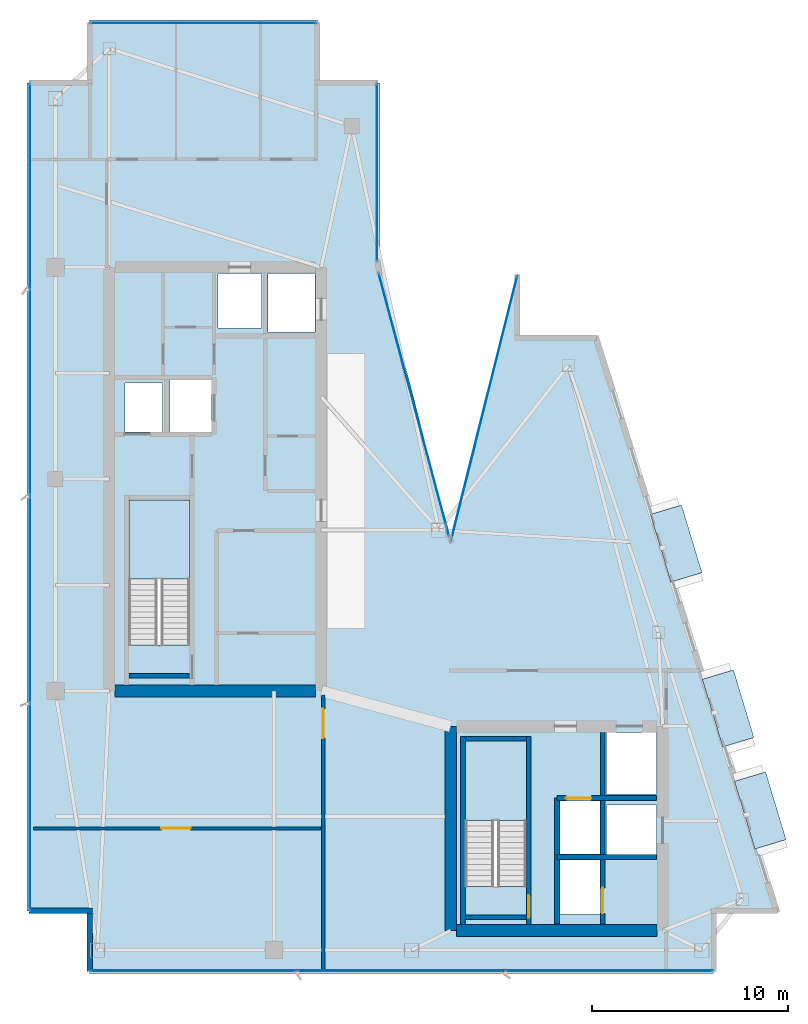
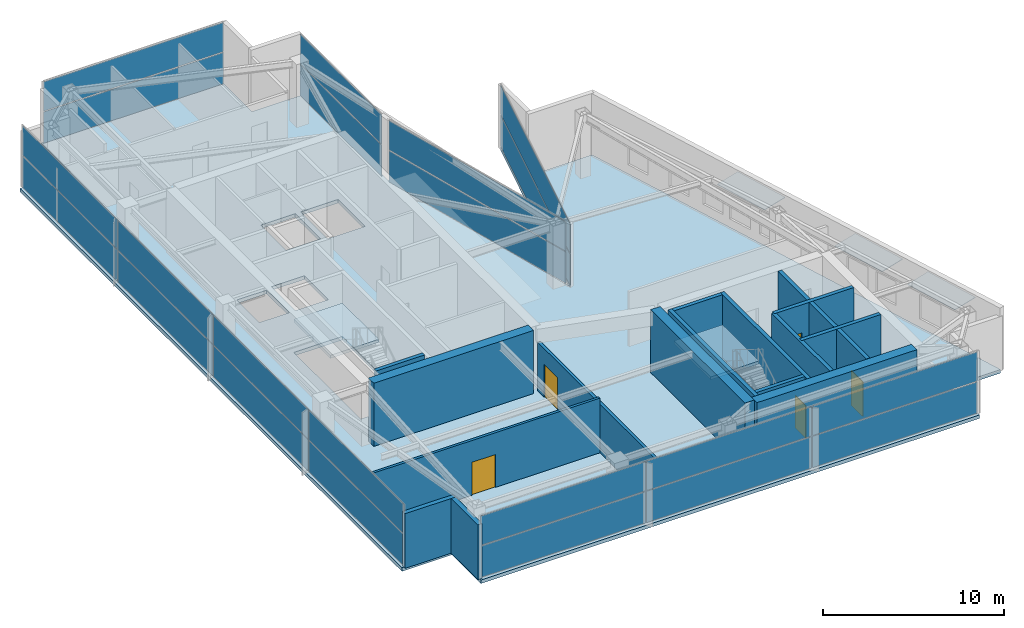
# One storey, part 20 of 25: 25 plates, 16 walls, 5 doors, 3 slabs, 5 openings, 8 elements without a shape of their own.
"""IFC4 building model written with IfcOpenShell, lengths in metres."""

from ifc_helpers import new_model, si_unit, direction, frame, frame_2d, origin, origin_2d, place, context, subcontext, project, spatial, polyline, rectangle, outline, extrude, material, layer, layer_set, type_object, element, fill, aggregate, save


model = new_model("IFC4")

# Units and contexts
model_context = context("Model", 3, precision=1e-05, world=origin(), true_north=direction((0.0, 1.0)))
body_context = subcontext(model_context, "Body", "Model", "MODEL_VIEW")
ifc_project = project(units=[si_unit("LENGTHUNIT", "METRE"), si_unit("AREAUNIT", "SQUARE_METRE"), si_unit("VOLUMEUNIT", "CUBIC_METRE"), si_unit("PLANEANGLEUNIT", "RADIAN"), si_unit("MASSUNIT", "GRAM", prefix="KILO")], contexts=[model_context])

# Site, building, storey
site_placement = place(None, origin())
site = spatial("IfcSite", under=ifc_project, at=site_placement, CompositionType="ELEMENT")
building_placement = place(site_placement, origin())
building = spatial("IfcBuilding", under=site, at=building_placement, Name="Calvorn Quay Hotel", CompositionType="ELEMENT")
storey_placement = place(building_placement, frame((0.0, 0.0, 311.5)))
storey = spatial("IfcBuildingStorey", under=building, at=storey_placement, Name="L77", CompositionType="ELEMENT", Elevation=311.5)

# Curtain wall, plates
ifc_material_1 = material(Name="Champagne Bronze Anodised Aluminium and Low-E Glass", Category="aluminium")
ifc_layer_1 = layer(ifc_material_1, 0.219970703125)
ifc_layer_set_1 = layer_set([ifc_layer_1], Name="CW-SYS-Z4")
curtain_wall_type = type_object("IfcCurtainWallType", Name="CW-SYS-Z4", PredefinedType="NOTDEFINED", material=ifc_layer_set_1)
curtain_wall_1_placement = place(storey_placement, origin())
curtain_wall_1 = element("IfcCurtainWall", 1, at=curtain_wall_1_placement, inside=storey, type_object=curtain_wall_type, Name="Tower West Curtain Wall (L77)", PredefinedType="NOTDEFINED")
ifc_material_2 = material(Name="Low-E Laminated Double Glazing", Category="glass")
ifc_layer_2 = layer(ifc_material_2, 0.028076171875)
ifc_layer_set_2 = layer_set([ifc_layer_2], Name="CW-SYS-Z4-PAN")
plate_type_1 = type_object("IfcPlateType", Name="CW-SYS-Z4-PAN", PredefinedType="CURTAIN_PANEL", material=ifc_layer_set_2)
plate_1_placement = place(storey_placement, frame((0.14990234375, 10.889892578125, 0.06005859375), z_axis=(0.0, 0.0, 1.0), x_axis=(0.0, 1.0, 0.0)))
plate_1 = element("IfcPlate", 2, at=plate_1_placement, type_object=plate_type_1, Name="CW-L77-W panel 1.1", PredefinedType="CURTAIN_PANEL", context=body_context, shape_type="SweptSolid", body=[
    extrude(rectangle(XDim=10.4599609375, YDim=0.028076171875, at=origin_2d()), origin(), (0.0, 0.0, 1.0), 2.110107421875),
])
plate_2_placement = place(storey_placement, frame((0.14990234375, 10.889892578125, 2.22998046875), z_axis=(0.0, 0.0, 1.0), x_axis=(0.0, 1.0, 0.0)))
plate_2 = element("IfcPlate", 3, at=plate_2_placement, type_object=plate_type_1, Name="CW-L77-W panel 1.2", PredefinedType="CURTAIN_PANEL", context=body_context, shape_type="SweptSolid", body=[
    extrude(rectangle(XDim=10.4599609375, YDim=0.028076171875, at=origin_2d()), origin(), (0.0, 0.0, 1.0), 1.969970703125),
])
plate_3_placement = place(storey_placement, frame((0.14990234375, 21.425048828125, 0.06005859375), z_axis=(0.0, 0.0, 1.0), x_axis=(0.0, 1.0, 0.0)))
plate_3 = element("IfcPlate", 4, at=plate_3_placement, type_object=plate_type_1, Name="CW-L77-W panel 2.1", PredefinedType="CURTAIN_PANEL", context=body_context, shape_type="SweptSolid", body=[
    extrude(rectangle(XDim=10.489990234375, YDim=0.028076171875, at=origin_2d()), origin(), (0.0, 0.0, 1.0), 2.110107421875),
])
plate_4_placement = place(storey_placement, frame((0.14990234375, 21.425048828125, 2.22998046875), z_axis=(0.0, 0.0, 1.0), x_axis=(0.0, 1.0, 0.0)))
plate_4 = element("IfcPlate", 5, at=plate_4_placement, type_object=plate_type_1, Name="CW-L77-W panel 2.2", PredefinedType="CURTAIN_PANEL", context=body_context, shape_type="SweptSolid", body=[
    extrude(rectangle(XDim=10.489990234375, YDim=0.028076171875, at=origin_2d()), origin(), (0.0, 0.0, 1.0), 1.969970703125),
])
plate_5_placement = place(storey_placement, frame((0.14990234375, 31.97509765625, 0.06005859375), z_axis=(0.0, 0.0, 1.0), x_axis=(0.0, 1.0, 0.0)))
plate_5 = element("IfcPlate", 6, at=plate_5_placement, type_object=plate_type_1, Name="CW-L77-W panel 3.1", PredefinedType="CURTAIN_PANEL", context=body_context, shape_type="SweptSolid", body=[
    extrude(rectangle(XDim=10.489990234375, YDim=0.028076171875, at=origin_2d()), origin(), (0.0, 0.0, 1.0), 2.110107421875),
])
plate_6_placement = place(storey_placement, frame((0.14990234375, 31.97509765625, 2.22998046875), z_axis=(0.0, 0.0, 1.0), x_axis=(0.0, 1.0, 0.0)))
plate_6 = element("IfcPlate", 7, at=plate_6_placement, type_object=plate_type_1, Name="CW-L77-W panel 3.2", PredefinedType="CURTAIN_PANEL", context=body_context, shape_type="SweptSolid", body=[
    extrude(rectangle(XDim=10.489990234375, YDim=0.028076171875, at=origin_2d()), origin(), (0.0, 0.0, 1.0), 1.969970703125),
])
plate_7_placement = place(storey_placement, frame((0.14990234375, 42.510009765625, 0.06005859375), z_axis=(0.0, 0.0, 1.0), x_axis=(0.0, 1.0, 0.0)))
plate_7 = element("IfcPlate", 8, at=plate_7_placement, type_object=plate_type_1, Name="CW-L77-W panel 4.1", PredefinedType="CURTAIN_PANEL", context=body_context, shape_type="SweptSolid", body=[
    extrude(rectangle(XDim=10.4599609375, YDim=0.028076171875, at=origin_2d()), origin(), (0.0, 0.0, 1.0), 2.110107421875),
])
plate_8_placement = place(storey_placement, frame((0.14990234375, 42.510009765625, 2.22998046875), z_axis=(0.0, 0.0, 1.0), x_axis=(0.0, 1.0, 0.0)))
plate_8 = element("IfcPlate", 9, at=plate_8_placement, type_object=plate_type_1, Name="CW-L77-W panel 4.2", PredefinedType="CURTAIN_PANEL", context=body_context, shape_type="SweptSolid", body=[
    extrude(rectangle(XDim=10.4599609375, YDim=0.028076171875, at=origin_2d()), origin(), (0.0, 0.0, 1.0), 1.969970703125),
])
aggregate(curtain_wall_1, [plate_1, plate_2, plate_3, plate_4, plate_5, plate_6, plate_7, plate_8])

curtain_wall_2_placement = place(storey_placement, origin())
curtain_wall_2 = element("IfcCurtainWall", 10, at=curtain_wall_2_placement, inside=storey, type_object=curtain_wall_type, Name="Tower South Waterfront Curtain Wall (L77)", PredefinedType="NOTDEFINED")
plate_9_placement = place(storey_placement, frame((8.514892578125, 2.550048828125, 0.06005859375), z_axis=(0.0, 0.0, 1.0), x_axis=(1.0, 0.0, 0.0)))
plate_9 = element("IfcPlate", 11, at=plate_9_placement, type_object=plate_type_1, Name="CW-L77-S panel 1.1", PredefinedType="CURTAIN_PANEL", context=body_context, shape_type="SweptSolid", body=[
    extrude(rectangle(XDim=10.510009765625, YDim=0.028076171875, at=origin_2d()), origin(), (0.0, 0.0, 1.0), 2.110107421875),
])
plate_10_placement = place(storey_placement, frame((8.514892578125, 2.550048828125, 2.22998046875), z_axis=(0.0, 0.0, 1.0), x_axis=(1.0, 0.0, 0.0)))
plate_10 = element("IfcPlate", 12, at=plate_10_placement, type_object=plate_type_1, Name="CW-L77-S panel 1.2", PredefinedType="CURTAIN_PANEL", context=body_context, shape_type="SweptSolid", body=[
    extrude(rectangle(XDim=10.510009765625, YDim=0.028076171875, at=origin_2d()), origin(), (0.0, 0.0, 1.0), 1.969970703125),
])
plate_11_placement = place(storey_placement, frame((19.10009765625, 2.550048828125, 0.06005859375), z_axis=(0.0, 0.0, 1.0), x_axis=(1.0, 0.0, 0.0)))
plate_11 = element("IfcPlate", 13, at=plate_11_placement, type_object=plate_type_1, Name="CW-L77-S panel 2.1", PredefinedType="CURTAIN_PANEL", context=body_context, shape_type="SweptSolid", body=[
    extrude(rectangle(XDim=10.5400390625, YDim=0.028076171875, at=origin_2d()), origin(), (0.0, 0.0, 1.0), 2.110107421875),
])
plate_12_placement = place(storey_placement, frame((19.10009765625, 2.550048828125, 2.22998046875), z_axis=(0.0, 0.0, 1.0), x_axis=(1.0, 0.0, 0.0)))
plate_12 = element("IfcPlate", 14, at=plate_12_placement, type_object=plate_type_1, Name="CW-L77-S panel 2.2", PredefinedType="CURTAIN_PANEL", context=body_context, shape_type="SweptSolid", body=[
    extrude(rectangle(XDim=10.5400390625, YDim=0.028076171875, at=origin_2d()), origin(), (0.0, 0.0, 1.0), 1.969970703125),
])
plate_13_placement = place(storey_placement, frame((29.68505859375, 2.550048828125, 0.06005859375), z_axis=(0.0, 0.0, 1.0), x_axis=(1.0, 0.0, 0.0)))
plate_13 = element("IfcPlate", 15, at=plate_13_placement, type_object=plate_type_1, Name="CW-L77-S panel 3.1", PredefinedType="CURTAIN_PANEL", context=body_context, shape_type="SweptSolid", body=[
    extrude(rectangle(XDim=10.510009765625, YDim=0.028076171875, at=origin_2d()), origin(), (0.0, 0.0, 1.0), 2.110107421875),
])
plate_14_placement = place(storey_placement, frame((29.68505859375, 2.550048828125, 2.22998046875), z_axis=(0.0, 0.0, 1.0), x_axis=(1.0, 0.0, 0.0)))
plate_14 = element("IfcPlate", 16, at=plate_14_placement, type_object=plate_type_1, Name="CW-L77-S panel 3.2", PredefinedType="CURTAIN_PANEL", context=body_context, shape_type="SweptSolid", body=[
    extrude(rectangle(XDim=10.510009765625, YDim=0.028076171875, at=origin_2d()), origin(), (0.0, 0.0, 1.0), 1.969970703125),
])
aggregate(curtain_wall_2, [plate_9, plate_10, plate_11, plate_12, plate_13, plate_14])

curtain_wall_3_placement = place(storey_placement, origin())
curtain_wall_3 = element("IfcCurtainWall", 17, at=curtain_wall_3_placement, inside=storey, type_object=curtain_wall_type, Name="Inner Court Curtain Wall L77-NE1", PredefinedType="NOTDEFINED")
plate_15_placement = place(storey_placement, frame((23.300048828125, 31.199951171875, 0.06005859375), z_axis=(0.0, 0.0, 1.0), x_axis=(-0.242535625038, -0.970142500145, 0.0)))
plate_15 = element("IfcPlate", 18, at=plate_15_placement, type_object=plate_type_1, Name="CW-L77-NE1 panel 1.1", PredefinedType="CURTAIN_PANEL", context=body_context, shape_type="SweptSolid", body=[
    extrude(rectangle(XDim=13.8984375, YDim=0.028076171875, at=origin_2d()), origin(), (0.0, 0.0, 1.0), 2.110107421875),
])
plate_16_placement = place(storey_placement, frame((23.300048828125, 31.199951171875, 2.22998046875), z_axis=(0.0, 0.0, 1.0), x_axis=(-0.242535625038, -0.970142500145, 0.0)))
plate_16 = element("IfcPlate", 19, at=plate_16_placement, type_object=plate_type_1, Name="CW-L77-NE1 panel 1.2", PredefinedType="CURTAIN_PANEL", context=body_context, shape_type="SweptSolid", body=[
    extrude(rectangle(XDim=13.8984375, YDim=0.028076171875, at=origin_2d()), origin(), (0.0, 0.0, 1.0), 1.969970703125),
])
aggregate(curtain_wall_3, [plate_15, plate_16])

curtain_wall_4_placement = place(storey_placement, origin())
curtain_wall_4 = element("IfcCurtainWall", 20, at=curtain_wall_4_placement, inside=storey, type_object=curtain_wall_type, Name="Inner Court Curtain Wall L77-IC1", PredefinedType="NOTDEFINED")
plate_17_placement = place(storey_placement, frame((19.72509765625, 31.39990234375, 0.06005859375), z_axis=(0.0, 0.0, 1.0), x_axis=(-0.25877913024, 0.96593652056, 0.0)))
plate_17 = element("IfcPlate", 21, at=plate_17_placement, type_object=plate_type_1, Name="CW-L77-IC1 panel 1.1", PredefinedType="CURTAIN_PANEL", context=body_context, shape_type="SweptSolid", body=[
    extrude(rectangle(XDim=13.814697265625, YDim=0.028076171875, at=origin_2d()), origin(), (0.0, 0.0, 1.0), 2.110107421875),
])
plate_18_placement = place(storey_placement, frame((19.72509765625, 31.39990234375, 2.22998046875), z_axis=(0.0, 0.0, 1.0), x_axis=(-0.25877913024, 0.96593652056, 0.0)))
plate_18 = element("IfcPlate", 22, at=plate_18_placement, type_object=plate_type_1, Name="CW-L77-IC1 panel 1.2", PredefinedType="CURTAIN_PANEL", context=body_context, shape_type="SweptSolid", body=[
    extrude(rectangle(XDim=13.814697265625, YDim=0.028076171875, at=origin_2d()), origin(), (0.0, 0.0, 1.0), 1.969970703125),
])
aggregate(curtain_wall_4, [plate_17, plate_18])

curtain_wall_5_placement = place(storey_placement, origin())
curtain_wall_5 = element("IfcCurtainWall", 23, at=curtain_wall_5_placement, inside=storey, type_object=curtain_wall_type, Name="Inner Court Curtain Wall L77-IC2", PredefinedType="NOTDEFINED")
plate_19_placement = place(storey_placement, frame((17.85009765625, 43.239990234375, 0.06005859375), z_axis=(0.0, 0.0, 1.0), x_axis=(0.0, 1.0, 0.0)))
plate_19 = element("IfcPlate", 24, at=plate_19_placement, type_object=plate_type_1, Name="CW-L77-IC2 panel 1.1", PredefinedType="CURTAIN_PANEL", context=body_context, shape_type="SweptSolid", body=[
    extrude(rectangle(XDim=9.0, YDim=0.028076171875, at=origin_2d()), origin(), (0.0, 0.0, 1.0), 2.110107421875),
])
plate_20_placement = place(storey_placement, frame((17.85009765625, 43.239990234375, 2.22998046875), z_axis=(0.0, 0.0, 1.0), x_axis=(0.0, 1.0, 0.0)))
plate_20 = element("IfcPlate", 25, at=plate_20_placement, type_object=plate_type_1, Name="CW-L77-IC2 panel 1.2", PredefinedType="CURTAIN_PANEL", context=body_context, shape_type="SweptSolid", body=[
    extrude(rectangle(XDim=9.0, YDim=0.028076171875, at=origin_2d()), origin(), (0.0, 0.0, 1.0), 1.969970703125),
])
aggregate(curtain_wall_5, [plate_19, plate_20])

curtain_wall_6_placement = place(storey_placement, origin())
curtain_wall_6 = element("IfcCurtainWall", 26, at=curtain_wall_6_placement, inside=storey, type_object=curtain_wall_type, Name="Inner Court Curtain Wall L77-N1", PredefinedType="NOTDEFINED")
plate_21_placement = place(storey_placement, frame((9.0, 50.85009765625, 0.06005859375), z_axis=(0.0, 0.0, 1.0), x_axis=(-1.0, 0.0, 0.0)))
plate_21 = element("IfcPlate", 27, at=plate_21_placement, type_object=plate_type_1, Name="CW-L77-N1 panel 1.1", PredefinedType="CURTAIN_PANEL", context=body_context, shape_type="SweptSolid", body=[
    extrude(rectangle(XDim=11.47998046875, YDim=0.028076171875, at=origin_2d()), origin(), (0.0, 0.0, 1.0), 2.110107421875),
])
plate_22_placement = place(storey_placement, frame((9.0, 50.85009765625, 2.22998046875), z_axis=(0.0, 0.0, 1.0), x_axis=(-1.0, 0.0, 0.0)))
plate_22 = element("IfcPlate", 28, at=plate_22_placement, type_object=plate_type_1, Name="CW-L77-N1 panel 1.2", PredefinedType="CURTAIN_PANEL", context=body_context, shape_type="SweptSolid", body=[
    extrude(rectangle(XDim=11.47998046875, YDim=0.028076171875, at=origin_2d()), origin(), (0.0, 0.0, 1.0), 1.969970703125),
])
aggregate(curtain_wall_6, [plate_21, plate_22])

# Plates
ifc_material_3 = material(Name="Tempered Laminated Low-E Glass", Category="glass")
ifc_layer_3 = layer(ifc_material_3, 0.0380859375)
ifc_layer_set_3 = layer_set([ifc_layer_3], Name="PLT-HOOD-GLAZ")
plate_type_2 = type_object("IfcPlateType", Name="PLT-HOOD-GLAZ", PredefinedType="SHEET", material=ifc_layer_set_3)
for number, where, z_axis, x_axis, name in (
    (29, (37.3740234375, 10.718017578125, 2.467041015625), (0.0, 0.0, 1.0), (0.957319497532, 0.289031796944, 0.0), "Angled Glass Bay Hood Panel L77-HOOD-1"),
    (30, (35.735107421875, 15.91796875, 2.467041015625), (0.0, 0.0, 1.0), (0.957319497532, 0.289031796944, 0.0), "Angled Glass Bay Hood Panel L77-HOOD-2"),
    (31, (33.089111328125, 24.318115234375, 2.467041015625), (0.0, 0.0, 1.0), (0.957319497532, 0.289031796944, 0.0), "Angled Glass Bay Hood Panel L77-HOOD-3"),
):
    element("IfcPlate", number, at=place(storey_placement, frame(where, z_axis=z_axis, x_axis=x_axis)), inside=storey, type_object=plate_type_2, Name=name, PredefinedType="SHEET", context=body_context, shape_type="SweptSolid", body=[
        extrude(rectangle(XDim=1.659912109375, YDim=3.60009765625, at=origin_2d()), origin(), (0.0, 0.0, 1.0), 0.0380859375),
    ])

# Stair, slab
ifc_material_4 = material(Name="Concrete C40", Category="concrete")
stair_type = type_object("IfcStairType", Name="STR-CORE-DOGLEG", PredefinedType="HALF_TURN_STAIR", material=ifc_material_4)
stair_1_placement = place(storey_placement, origin())
stair_1 = element("IfcStair", 32, at=stair_1_placement, inside=storey, type_object=stair_type, Name="L77 ST-W", PredefinedType="HALF_TURN_STAIR")
ifc_material_5 = material(Name="Concrete C40", Category="concrete")
ifc_layer_4 = layer(ifc_material_5, 0.199951171875)
ifc_layer_set_4 = layer_set([ifc_layer_4], Name="SLB-STAIR-LANDING-200")
slab_type_1 = type_object("IfcSlabType", Name="SLB-STAIR-LANDING-200", PredefinedType="LANDING", material=ifc_layer_set_4)
slab_1_placement = place(storey_placement, frame((0.0, 0.0, 2.050048828125)))
slab_1 = element("IfcSlab", 33, at=slab_1_placement, type_object=slab_type_1, Name="ST-W landing 1", PredefinedType="LANDING", context=body_context, shape_type="SweptSolid", body=[
    extrude(outline(polyline([(8.300048828125, 22.510009765625), (8.300048828125, 26.550048828125), (5.199951171875, 26.550048828125), (5.199951171875, 22.510009765625), (8.300048828125, 22.510009765625)])), origin(), (0.0, 0.0, 1.0), 0.199951171875),
])
aggregate(stair_1, [slab_1])

stair_2_placement = place(storey_placement, origin())
stair_2 = element("IfcStair", 34, at=stair_2_placement, inside=storey, type_object=stair_type, Name="L77 ST-E", PredefinedType="HALF_TURN_STAIR")
slab_2_placement = place(storey_placement, frame((0.0, 0.0, 2.050048828125)))
slab_2 = element("IfcSlab", 35, at=slab_2_placement, type_object=slab_type_1, Name="ST-E landing 1", PredefinedType="LANDING", context=body_context, shape_type="SweptSolid", body=[
    extrude(outline(polyline([(25.449951171875, 10.2099609375), (25.449951171875, 14.25), (22.35009765625, 14.25), (22.35009765625, 10.2099609375), (25.449951171875, 10.2099609375)])), origin(), (0.0, 0.0, 1.0), 0.199951171875),
])
aggregate(stair_2, [slab_2])

# Slab
ifc_material_6 = material(Name="Concrete C40", Category="concrete")
ifc_layer_5 = layer(ifc_material_6, 0.239990234375)
ifc_layer_set_5 = layer_set([ifc_layer_5], Name="SLB-TOWER-240")
slab_type_2 = type_object("IfcSlabType", Name="SLB-TOWER-240", PredefinedType="FLOOR", material=ifc_layer_set_5)
slab_3_placement = place(storey_placement, frame((0.0, 0.0, -0.239990234375)))
element("IfcSlab", 36, at=slab_3_placement, inside=storey, type_object=slab_type_2, Name="L77 Structural Floor Slab", PredefinedType="FLOOR", context=body_context, shape_type="SweptSolid", body=[
    extrude(outline(polyline([(0.0, 5.60009765625), (3.199951171875, 5.60009765625), (3.199951171875, 2.39990234375), (35.0, 2.39990234375), (35.0, 5.60009765625), (38.199951171875, 5.60009765625), (29.0, 34.800048828125), (25.0, 34.800048828125), (25.0, 38.0), (21.60009765625, 24.39990234375), (18.0, 38.39990234375), (18.0, 47.800048828125), (14.800048828125, 47.800048828125), (14.800048828125, 51.0), (3.199951171875, 51.0), (3.199951171875, 47.800048828125), (0.0, 47.800048828125), (0.0, 5.60009765625)]), holes=[polyline([(5.199951171875, 19.156005859375), (8.300048828125, 19.156005859375), (8.300048828125, 26.550048828125), (5.199951171875, 26.550048828125), (5.199951171875, 19.156005859375)]), polyline([(22.35009765625, 6.85595703125), (25.449951171875, 6.85595703125), (25.449951171875, 14.25), (22.35009765625, 14.25), (22.35009765625, 6.85595703125)]), polyline([(5.0, 30.0), (6.89990234375, 30.0), (6.89990234375, 32.5), (5.0, 32.5), (5.0, 30.0)]), polyline([(7.300048828125, 30.0), (9.39990234375, 30.0), (9.39990234375, 32.64990234375), (7.300048828125, 32.64990234375), (7.300048828125, 30.0)]), polyline([(27.159912109375, 8.5), (29.2099609375, 8.5), (29.2099609375, 11.199951171875), (27.159912109375, 11.199951171875), (27.159912109375, 8.5)]), polyline([(27.159912109375, 5.449951171875), (29.2099609375, 5.449951171875), (29.2099609375, 8.199951171875), (27.159912109375, 8.199951171875), (27.159912109375, 5.449951171875)]), polyline([(12.300048828125, 35.10009765625), (14.68994140625, 35.10009765625), (14.68994140625, 38.090087890625), (12.300048828125, 38.090087890625), (12.300048828125, 35.10009765625)]), polyline([(9.75, 35.300048828125), (11.949951171875, 35.300048828125), (11.949951171875, 38.090087890625), (9.75, 38.090087890625), (9.75, 35.300048828125)]), polyline([(29.550048828125, 11.550048828125), (32.090087890625, 11.550048828125), (32.090087890625, 14.68994140625), (29.550048828125, 14.68994140625), (29.550048828125, 11.550048828125)]), polyline([(29.550048828125, 8.449951171875), (32.090087890625, 8.449951171875), (32.090087890625, 11.0), (29.550048828125, 11.0), (29.550048828125, 8.449951171875)])]), origin(), (0.0, 0.0, 1.0), 0.239990234375),
])

# Walls
ifc_material_7 = material(Name="Concrete C45", Category="concrete")
ifc_layer_6 = layer(ifc_material_7, 0.60009765625)
ifc_layer_set_6 = layer_set([ifc_layer_6], Name="WL-CORE-600")
wall_type_1 = type_object("IfcWallType", Name="WL-CORE-600", PredefinedType="SHEAR", material=ifc_layer_set_6)
wall_1_placement = place(storey_placement, frame((4.5, 16.800048828125, 0.0), z_axis=(0.0, 0.0, 1.0), x_axis=(1.0, 0.0, 0.0)))
element("IfcWall", 37, at=wall_1_placement, inside=storey, type_object=wall_type_1, Name="West Core Shear Wall S (L77)", PredefinedType="SHEAR", context=body_context, shape_type="SweptSolid", body=[
    extrude(rectangle(XDim=10.199951171875, YDim=0.60009765625, at=frame_2d((5.10009765625, 0.0))), origin(), (0.0, 0.0, 1.0), 4.260009765625),
])
wall_2_placement = place(storey_placement, frame((21.60009765625, 4.60009765625, 0.0), z_axis=(0.0, 0.0, 1.0), x_axis=(0.0, 1.0, 0.0)))
element("IfcWall", 38, at=wall_2_placement, inside=storey, type_object=wall_type_1, Name="East Core Shear Wall W (L77)", PredefinedType="SHEAR", context=body_context, shape_type="SweptSolid", body=[
    extrude(rectangle(XDim=10.39990234375, YDim=0.60009765625, at=frame_2d((5.199951171875, 0.0))), origin(), (0.0, 0.0, 1.0), 4.260009765625),
])
wall_3_placement = place(storey_placement, frame((21.89990234375, 4.60009765625, 0.0), z_axis=(0.0, 0.0, 1.0), x_axis=(1.0, 0.0, 0.0)))
element("IfcWall", 39, at=wall_3_placement, inside=storey, type_object=wall_type_1, Name="East Core Shear Wall S (L77)", PredefinedType="SHEAR", context=body_context, shape_type="SweptSolid", body=[
    extrude(rectangle(XDim=10.2001953125, YDim=0.60009765625, at=frame_2d((5.10009765625, 0.0))), origin(), (0.0, 0.0, 1.0), 4.260009765625),
])

# Wall, opening, door
ifc_material_8 = material(Name="Acoustic Fireboard Steel-Stud Partition", Category="steel")
ifc_layer_7 = layer(ifc_material_8, 0.179931640625)
ifc_layer_set_7 = layer_set([ifc_layer_7], Name="WL-CORR-FIRE-180")
wall_type_2 = type_object("IfcWallType", Name="WL-CORR-FIRE-180", PredefinedType="PARTITIONING", material=ifc_layer_set_7)
wall_4_placement = place(storey_placement, frame((15.10009765625, 2.60009765625, 0.0), z_axis=(0.0, 0.0, 1.0), x_axis=(0.0, 1.0, 0.0)))
wall_4 = element("IfcWall", 40, at=wall_4_placement, inside=storey, type_object=wall_type_2, Name="Partition Wall L77-WL-SK-SW-E", PredefinedType="PARTITIONING", context=body_context, shape_type="SweptSolid", body=[
    extrude(rectangle(XDim=14.0, YDim=0.179931640625, at=frame_2d((7.0, 0.0))), origin(), (0.0, 0.0, 1.0), 3.2900390625),
])
opening_1_placement = place(wall_4_placement, frame((11.800048828125, 0.0, 0.0)))
opening_1 = element("IfcOpeningElement", 41, at=opening_1_placement, cuts=wall_4, Name="Opening D-L77-A1", PredefinedType="OPENING", context=body_context, shape_type="SweptSolid", body=[
    extrude(rectangle(XDim=1.5, YDim=2.219970703125, at=frame_2d((0.75, 1.10986328125))), frame((0.0, 0.099853515625, 0.0), z_axis=(0.0, -1.0, 0.0), x_axis=(1.0, 0.0, 0.0)), (0.0, 0.0, 1.0), 0.199951171875),
])
ifc_material_9 = material(Name="Solid-Core Walnut Double Suite Entry Door")
door_type_1 = type_object("IfcDoorType", Name="DR-SUITE-DBL-1500", OperationType="NOTDEFINED", PredefinedType="DOOR", material=ifc_material_9)
door_1_placement = place(opening_1_placement, origin())
door_1 = element("IfcDoor", 42, at=door_1_placement, inside=storey, type_object=door_type_1, Name="West Salon Door", OperationType="SINGLE_SWING_LEFT", OverallHeight=2.219970703125, OverallWidth=1.5, PredefinedType="DOOR", context=body_context, shape_type="SweptSolid", body=[
    extrude(rectangle(XDim=1.5, YDim=2.219970703125, at=frame_2d((0.75, 1.10986328125))), frame((0.0, 0.02490234375, 0.0), z_axis=(0.0, -1.0, 0.0), x_axis=(1.0, 0.0, 0.0)), (0.0, 0.0, 1.0), 0.050048828125),
])
fill(opening_1, door_1)

# Walls
ifc_material_10 = material(Name="Concrete C40", Category="concrete")
ifc_layer_8 = layer(ifc_material_10, 0.320068359375)
ifc_layer_set_8 = layer_set([ifc_layer_8], Name="WL-EXT-SPANDREL-320")
wall_type_3 = type_object("IfcWallType", Name="WL-EXT-SPANDREL-320", PredefinedType="SOLIDWALL", material=ifc_layer_set_8)
wall_5_placement = place(storey_placement, frame((0.1201171875, 5.60009765625, 0.0), z_axis=(0.0, 0.0, 1.0), x_axis=(1.0, 0.0, 0.0)))
element("IfcWall", 43, at=wall_5_placement, inside=storey, type_object=wall_type_3, Name="Notched Corner Spandrel L77-SW1", PredefinedType="SOLIDWALL", context=body_context, shape_type="SweptSolid", body=[
    extrude(rectangle(XDim=3.219970703125, YDim=0.280029296875, at=frame_2d((1.60986328125, 0.0))), origin(), (0.0, 0.0, 1.0), 3.68994140625),
])
wall_6_placement = place(storey_placement, frame((3.199951171875, 5.4599609375, 0.0), z_axis=(0.0, 0.0, 1.0), x_axis=(0.0, -1.0, 0.0)))
element("IfcWall", 44, at=wall_6_placement, inside=storey, type_object=wall_type_3, Name="Notched Corner Spandrel L77-SW2", PredefinedType="SOLIDWALL", context=body_context, shape_type="SweptSolid", body=[
    extrude(rectangle(XDim=2.93994140625, YDim=0.280029296875, at=frame_2d((1.469970703125, 0.0))), origin(), (0.0, 0.0, 1.0), 3.68994140625),
])

# Wall, opening, door
ifc_material_11 = material(Name="Double-Stud Acoustic Gypsum Partition")
ifc_layer_9 = layer(ifc_material_11, 0.159912109375)
ifc_layer_set_9 = layer_set([ifc_layer_9], Name="WL-INTERSUITE-160")
wall_type_4 = type_object("IfcWallType", Name="WL-INTERSUITE-160", PredefinedType="PARTITIONING", material=ifc_layer_set_9)
wall_7_placement = place(storey_placement, frame((0.35009765625, 9.800048828125, 0.0), z_axis=(0.0, 0.0, 1.0), x_axis=(1.0, 0.0, 0.0)))
wall_7 = element("IfcWall", 45, at=wall_7_placement, inside=storey, type_object=wall_type_4, Name="Partition Wall L77-WL-OB-S-DIV", PredefinedType="PARTITIONING", context=body_context, shape_type="SweptSolid", body=[
    extrude(rectangle(XDim=14.64990234375, YDim=0.159912109375, at=frame_2d((7.324951171875, 0.0))), origin(), (0.0, 0.0, 1.0), 3.68994140625),
])
opening_2_placement = place(wall_7_placement, frame((6.5, 0.0, 0.0)))
opening_2 = element("IfcOpeningElement", 46, at=opening_2_placement, cuts=wall_7, Name="Opening D-L77-OBS", PredefinedType="OPENING", context=body_context, shape_type="SweptSolid", body=[
    extrude(rectangle(XDim=1.5, YDim=2.219970703125, at=frame_2d((0.75, 1.10986328125))), frame((0.0, 0.08984375, 0.0), z_axis=(0.0, -1.0, 0.0), x_axis=(1.0, 0.0, 0.0)), (0.0, 0.0, 1.0), 0.179931640625),
])
door_2_placement = place(opening_2_placement, origin())
door_2 = element("IfcDoor", 47, at=door_2_placement, inside=storey, type_object=door_type_1, Name="South Deck Door", OperationType="SINGLE_SWING_LEFT", OverallHeight=2.219970703125, OverallWidth=1.5, PredefinedType="DOOR", context=body_context, shape_type="SweptSolid", body=[
    extrude(rectangle(XDim=1.5, YDim=2.219970703125, at=frame_2d((0.75, 1.10986328125))), frame((0.0, 0.02490234375, 0.0), z_axis=(0.0, -1.0, 0.0), x_axis=(1.0, 0.0, 0.0)), (0.0, 0.0, 1.0), 0.050048828125),
])
fill(opening_2, door_2)

# Walls
ifc_material_12 = material(Name="Concrete C40", Category="concrete")
ifc_layer_10 = layer(ifc_material_12, 0.239990234375)
ifc_layer_set_10 = layer_set([ifc_layer_10], Name="WL-SHAFT-240")
wall_type_5 = type_object("IfcWallType", Name="WL-SHAFT-240", PredefinedType="SOLIDWALL", material=ifc_layer_set_10)
wall_8_placement = place(storey_placement, frame((5.199951171875, 17.580078125, 0.0), z_axis=(0.0, 0.0, 1.0), x_axis=(1.0, 0.0, 0.0)))
element("IfcWall", 48, at=wall_8_placement, inside=storey, type_object=wall_type_5, Name="Stair STW Shaft Wall S (L77)", PredefinedType="SOLIDWALL", context=body_context, shape_type="SweptSolid", body=[
    extrude(rectangle(XDim=3.10009765625, YDim=0.239990234375, at=frame_2d((1.550048828125, 0.0))), origin(), (0.0, 0.0, 1.0), 4.260009765625),
])
wall_9_placement = place(storey_placement, frame((22.22998046875, 4.89990234375, 0.0), z_axis=(0.0, 0.0, 1.0), x_axis=(0.0, 1.0, 0.0)))
element("IfcWall", 49, at=wall_9_placement, inside=storey, type_object=wall_type_5, Name="Stair STE Shaft Wall W (L77)", PredefinedType="SOLIDWALL", context=body_context, shape_type="SweptSolid", body=[
    extrude(rectangle(XDim=9.590087890625, YDim=0.239990234375, at=frame_2d((4.794921875, 0.0))), origin(), (0.0, 0.0, 1.0), 4.260009765625),
])

# Wall, opening, door
wall_10_placement = place(storey_placement, frame((25.570068359375, 4.89990234375, 0.0), z_axis=(0.0, 0.0, 1.0), x_axis=(0.0, 1.0, 0.0)))
wall_10 = element("IfcWall", 50, at=wall_10_placement, inside=storey, type_object=wall_type_5, Name="Stair STE Shaft Wall E (L77)", PredefinedType="SOLIDWALL", context=body_context, shape_type="SweptSolid", body=[
    extrude(rectangle(XDim=9.590087890625, YDim=0.239990234375, at=frame_2d((4.794921875, 0.0))), origin(), (0.0, 0.0, 1.0), 4.260009765625),
])
opening_3_placement = place(wall_10_placement, frame((0.35009765625, 0.0, 0.0)))
opening_3 = element("IfcOpeningElement", 51, at=opening_3_placement, cuts=wall_10, Name="Opening D-L77-STE", PredefinedType="OPENING", context=body_context, shape_type="SweptSolid", body=[
    extrude(rectangle(XDim=1.14990234375, YDim=2.199951171875, at=frame_2d((0.574951171875, 1.10009765625))), frame((0.0, 0.1298828125, 0.0), z_axis=(0.0, -1.0, 0.0), x_axis=(1.0, 0.0, 0.0)), (0.0, 0.0, 1.0), 0.260009765625),
])
ifc_material_13 = material(Name="Galvanised Steel Class A Fire Door", Category="steel")
door_type_2 = type_object("IfcDoorType", Name="DR-STAIR-SMOKE-1150", OperationType="NOTDEFINED", PredefinedType="DOOR", material=ifc_material_13)
door_3_placement = place(opening_3_placement, origin())
door_3 = element("IfcDoor", 52, at=door_3_placement, inside=storey, type_object=door_type_2, Name="Stair ST-E Fire Door (L77)", OperationType="SINGLE_SWING_RIGHT", OverallHeight=2.199951171875, OverallWidth=1.14990234375, PredefinedType="DOOR", context=body_context, shape_type="SweptSolid", body=[
    extrude(rectangle(XDim=1.14990234375, YDim=2.199951171875, at=frame_2d((0.574951171875, 1.10009765625))), frame((0.0, 0.02490234375, 0.0), z_axis=(0.0, -1.0, 0.0), x_axis=(1.0, 0.0, 0.0)), (0.0, 0.0, 1.0), 0.050048828125),
])
fill(opening_3, door_3)

# Walls
for number, where, z_axis, x_axis, name in (
    (53, (22.35009765625, 5.280029296875, 0.0), (0.0, 0.0, 1.0), (1.0, 0.0, 0.0), "Stair STE Shaft Wall S (L77)"),
    (54, (22.35009765625, 14.3701171875, 0.0), (0.0, 0.0, 1.0), (1.0, 0.0, 0.0), "Stair STE Shaft Wall N (L77)"),
):
    element("IfcWall", number, at=place(storey_placement, frame(where, z_axis=z_axis, x_axis=x_axis)), inside=storey, type_object=wall_type_5, Name=name, PredefinedType="SOLIDWALL", context=body_context, shape_type="SweptSolid", body=[
        extrude(rectangle(XDim=3.099853515625, YDim=0.239990234375, at=frame_2d((1.5498046875, 0.0))), origin(), (0.0, 0.0, 1.0), 4.260009765625),
    ])
wall_11_placement = place(storey_placement, frame((27.02001953125, 4.919921875, 0.0), z_axis=(0.0, 0.0, 1.0), x_axis=(0.0, 1.0, 0.0)))
element("IfcWall", 55, at=wall_11_placement, inside=storey, type_object=wall_type_5, Name="Partition Wall L77-WL-CWE-SH-W", PredefinedType="SOLIDWALL", context=body_context, shape_type="SweptSolid", body=[
    extrude(rectangle(XDim=6.43017578125, YDim=0.239990234375, at=frame_2d((3.215087890625, 0.0))), origin(), (0.0, 0.0, 1.0), 4.260009765625),
])

# Wall, opening, door
wall_12_placement = place(storey_placement, frame((27.02001953125, 11.35009765625, 0.0), z_axis=(0.0, 0.0, 1.0), x_axis=(1.0, 0.0, 0.0)))
wall_12 = element("IfcWall", 56, at=wall_12_placement, inside=storey, type_object=wall_type_5, Name="Partition Wall L77-WL-CWE-FFL-S", PredefinedType="SOLIDWALL", context=body_context, shape_type="SweptSolid", body=[
    extrude(rectangle(XDim=5.06005859375, YDim=0.239990234375, at=frame_2d((2.530029296875, 0.0))), origin(), (0.0, 0.0, 1.0), 4.260009765625),
])
opening_4_placement = place(wall_12_placement, frame((0.449951171875, 0.0, 0.0)))
opening_4 = element("IfcOpeningElement", 57, at=opening_4_placement, cuts=wall_12, Name="Opening LD-L77-FLE1", PredefinedType="OPENING", context=body_context, shape_type="SweptSolid", body=[
    extrude(rectangle(XDim=1.300048828125, YDim=2.35009765625, at=frame_2d((0.64990234375, 1.175048828125))), frame((0.0, 0.1298828125, 0.0), z_axis=(0.0, -1.0, 0.0), x_axis=(1.0, 0.0, 0.0)), (0.0, 0.0, 1.0), 0.260009765625),
])
ifc_material_14 = material(Name="Champagne-Bronze Sliding Express Lift Landing Door")
door_type_3 = type_object("IfcDoorType", Name="DR-LIFT-SHUTTLE-1300", OperationType="NOTDEFINED", PredefinedType="DOOR", material=ifc_material_14)
door_4_placement = place(opening_4_placement, origin())
door_4 = element("IfcDoor", 58, at=door_4_placement, inside=storey, type_object=door_type_3, Name="Firefighting Lift FL-E1 Landing Door (L77)", OperationType="DOUBLE_DOOR_SLIDING", OverallHeight=2.35009765625, OverallWidth=1.300048828125, PredefinedType="DOOR", context=body_context, shape_type="SweptSolid", body=[
    extrude(rectangle(XDim=1.300048828125, YDim=2.35009765625, at=frame_2d((0.64990234375, 1.175048828125))), frame((0.0, 0.02490234375, 0.0), z_axis=(0.0, -1.0, 0.0), x_axis=(1.0, 0.0, 0.0)), (0.0, 0.0, 1.0), 0.050048828125),
])
fill(opening_4, door_4)

# Wall
wall_13_placement = place(storey_placement, frame((27.02001953125, 8.35009765625, 0.0), z_axis=(0.0, 0.0, 1.0), x_axis=(1.0, 0.0, 0.0)))
element("IfcWall", 59, at=wall_13_placement, inside=storey, type_object=wall_type_5, Name="Partition Wall L77-WL-CWE-SL-N", PredefinedType="SOLIDWALL", context=body_context, shape_type="SweptSolid", body=[
    extrude(rectangle(XDim=5.06005859375, YDim=0.239990234375, at=frame_2d((2.530029296875, 0.0))), origin(), (0.0, 0.0, 1.0), 4.260009765625),
])

# Wall, opening, door
wall_14_placement = place(storey_placement, frame((29.35009765625, 4.919921875, 0.0), z_axis=(0.0, 0.0, 1.0), x_axis=(0.0, 1.0, 0.0)))
wall_14 = element("IfcWall", 60, at=wall_14_placement, inside=storey, type_object=wall_type_5, Name="Partition Wall L77-WL-CWE-OB-W", PredefinedType="SOLIDWALL", context=body_context, shape_type="SweptSolid", body=[
    extrude(rectangle(XDim=9.760009765625, YDim=0.239990234375, at=frame_2d((4.8798828125, 0.0))), origin(), (0.0, 0.0, 1.0), 4.260009765625),
])
opening_5_placement = place(wall_14_placement, frame((0.550048828125, 0.0, 0.0)))
opening_5 = element("IfcOpeningElement", 61, at=opening_5_placement, cuts=wall_14, Name="Opening LD-L77-SLEI", PredefinedType="OPENING", context=body_context, shape_type="SweptSolid", body=[
    extrude(rectangle(XDim=1.300048828125, YDim=2.35009765625, at=frame_2d((0.64990234375, 1.175048828125))), frame((0.0, 0.1298828125, 0.0), z_axis=(0.0, -1.0, 0.0), x_axis=(1.0, 0.0, 0.0)), (0.0, 0.0, 1.0), 0.260009765625),
])
door_5_placement = place(opening_5_placement, origin())
door_5 = element("IfcDoor", 62, at=door_5_placement, inside=storey, type_object=door_type_3, Name="Service Lift SL-E1 Landing Door (L77)", OperationType="DOUBLE_DOOR_SLIDING", OverallHeight=2.35009765625, OverallWidth=1.300048828125, PredefinedType="DOOR", context=body_context, shape_type="SweptSolid", body=[
    extrude(rectangle(XDim=1.300048828125, YDim=2.35009765625, at=frame_2d((0.64990234375, 1.175048828125))), frame((0.0, 0.02490234375, 0.0), z_axis=(0.0, -1.0, 0.0), x_axis=(1.0, 0.0, 0.0)), (0.0, 0.0, 1.0), 0.050048828125),
])
fill(opening_5, door_5)

save(model, "model.ifc")
